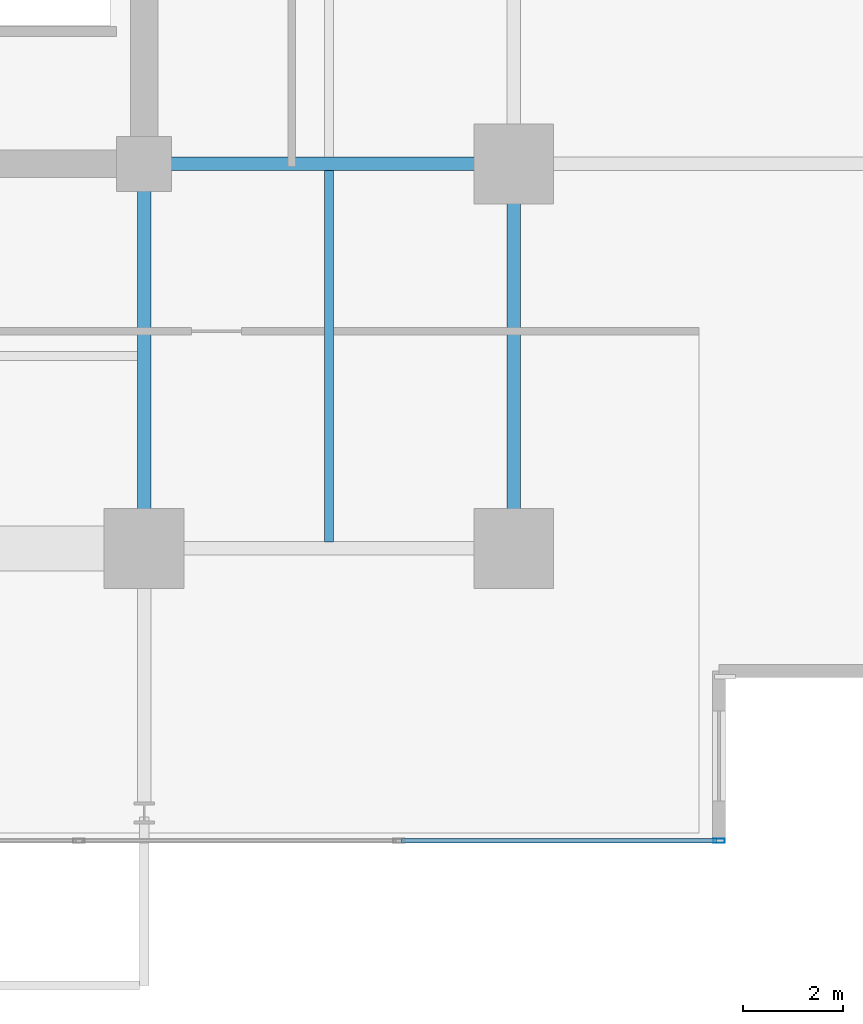
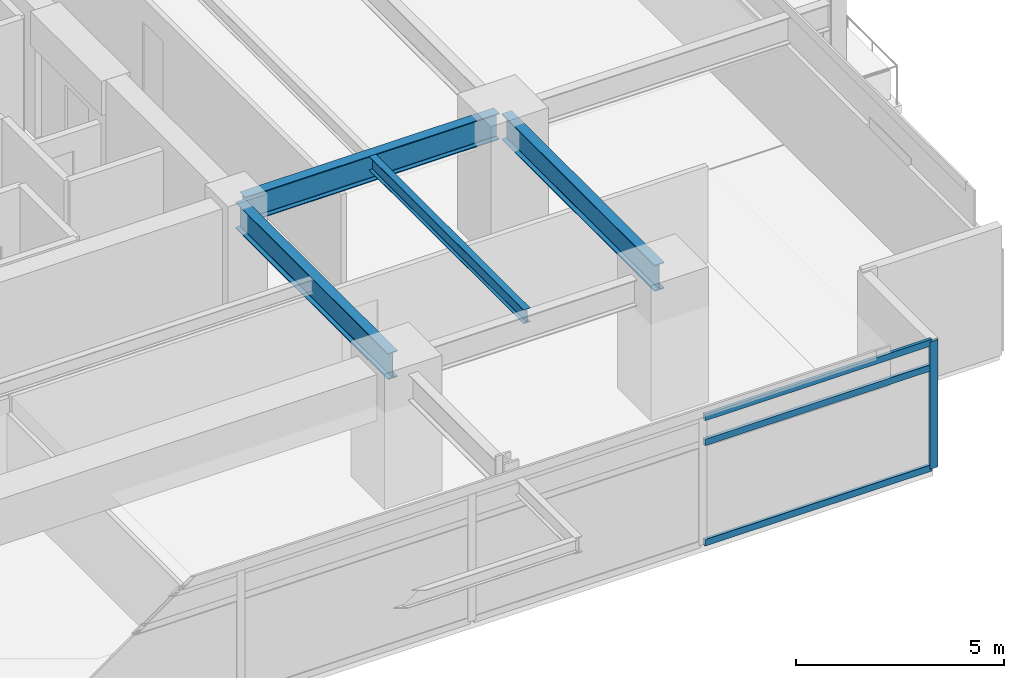
# One storey, part 10 of 24: 4 beams, 4 members, 1 element without a shape of its own.
"""IFC4 building model written with IfcOpenShell, lengths in metres."""

import ifcopenshell
import ifcopenshell.guid

model = None  # the IFC model being written
_history = None  # IfcOwnerHistory: only IFC2X3 demands one
_inside = {}  # id of a spatial element -> (the spatial element, [elements in it])
_under = {}  # id of a project, library or spatial element -> (it, [spatial elements below it])
_declared = {}  # id of a project -> (the project, [libraries it declares])
_typed = {}  # id of a type object -> (the type object, [elements of that type])
_made_of = {}  # id of a material, layer set ... -> (it, [elements and type objects made of it])


def new_model(schema):
    """Start an empty IFC model of exactly this schema.

    Asked for "IFC4X3", IfcOpenShell would pick the latest addendum, in which some entities
    have other attributes; the version numbers below select the first issue.
    IFC2X3 requires an IfcOwnerHistory on every rooted entity: one is made here for all.
    """
    global model, _history
    if schema == "IFC4X3":
        model = ifcopenshell.file(schema_version=(4, 3, 0, 0))
    else:
        model = ifcopenshell.file(schema=schema)
    _inside.clear()
    _under.clear()
    _declared.clear()
    _typed.clear()
    _made_of.clear()
    _history = None
    if model.schema == "IFC2X3":
        org = make("IfcOrganization", Name="unknown")
        user = make(
            "IfcPersonAndOrganization",
            ThePerson=make("IfcPerson", FamilyName="unknown"),
            TheOrganization=org,
        )
        app = make(
            "IfcApplication",
            ApplicationDeveloper=org,
            Version="unknown",
            ApplicationFullName="unknown",
            ApplicationIdentifier="unknown",
        )
        _history = make(
            "IfcOwnerHistory",
            OwningUser=user,
            OwningApplication=app,
            ChangeAction="ADDED",
            CreationDate=0,
        )
    return model


def make(cls, **values):
    """One entity of the class cls with the attributes given. An attribute that is None is left unset."""
    return model.create_entity(
        cls, **{name: value for name, value in values.items() if value is not None}
    )


def rooted(cls, **values):
    """An entity with a GlobalId (a new one), such as an element, a storey or a relation."""
    return make(cls, GlobalId=ifcopenshell.guid.new(), OwnerHistory=_history, **values)


def si_unit(unit_type, name, prefix=None):
    """IfcSIUnit, for example si_unit("LENGTHUNIT", "METRE", prefix="MILLI")."""
    return make("IfcSIUnit", UnitType=unit_type, Prefix=prefix, Name=name)


def assignment(units):
    """IfcUnitAssignment: the units of a project."""
    return None if units is None else make("IfcUnitAssignment", Units=units)


def point(xyz):
    """IfcCartesianPoint."""
    return None if xyz is None else make("IfcCartesianPoint", Coordinates=xyz)


def direction(xyz):
    """IfcDirection."""
    return None if xyz is None else make("IfcDirection", DirectionRatios=xyz)


def frame(location, z_axis=None, x_axis=None):
    """IfcAxis2Placement3D, a coordinate frame: its origin and axes. An axis left out is left unset."""
    return make(
        "IfcAxis2Placement3D",
        Location=point(location),
        Axis=direction(z_axis),
        RefDirection=direction(x_axis),
    )


def frame_2d(location, x_axis=None):
    """IfcAxis2Placement2D, a coordinate frame in the plane: its origin and x axis."""
    return make(
        "IfcAxis2Placement2D", Location=point(location), RefDirection=direction(x_axis)
    )


def origin():
    """The frame at (0, 0, 0) with its axes left unset."""
    return frame((0.0, 0.0, 0.0))


def origin_2d():
    """The frame at (0, 0) in the plane with its x axis left unset."""
    return frame_2d((0.0, 0.0))


def place(relative_to, where):
    """IfcLocalPlacement: puts the frame where relative to a parent placement (None: the world)."""
    return make(
        "IfcLocalPlacement", PlacementRelTo=relative_to, RelativePlacement=where
    )


def context(
    kind, dimensions, precision=None, world=None, true_north=None, identifier=None
):
    """IfcGeometricRepresentationContext, for example the 3D "Model" context."""
    return make(
        "IfcGeometricRepresentationContext",
        ContextIdentifier=identifier,
        ContextType=kind,
        CoordinateSpaceDimension=dimensions,
        Precision=precision,
        WorldCoordinateSystem=world,
        TrueNorth=true_north,
    )


def subcontext(parent, identifier, kind, view, scale=None):
    """IfcGeometricRepresentationSubContext, for example "Body" below "Model"."""
    return make(
        "IfcGeometricRepresentationSubContext",
        ContextIdentifier=identifier,
        ContextType=kind,
        ParentContext=parent,
        TargetScale=scale,
        TargetView=view,
    )


def project(units=None, contexts=None):
    """IfcProject with its units and contexts."""
    return rooted(
        "IfcProject",
        Name="project",
        RepresentationContexts=contexts,
        UnitsInContext=assignment(units),
    )


def spatial(cls, under=None, at=None, **own):
    """A site, building, storey or space (cls), placed at a placement, below another one or the project."""
    s = rooted(cls, ObjectPlacement=at, **own)
    if under is not None:
        _under.setdefault(under.id(), (under, []))[1].append(s)
    return s


def profile(cls, at=None, kind="AREA", **sizes):
    """A parametric profile (cls). Its sizes go by their IFC names, for example OverallWidth=200.0."""
    return make(cls, ProfileType=kind, Position=at, **sizes)


def hollow_rectangle(**sizes):
    """IfcRectangleHollowProfileDef."""
    return profile("IfcRectangleHollowProfileDef", **sizes)


def i_section(**sizes):
    """IfcIShapeProfileDef."""
    return profile("IfcIShapeProfileDef", **sizes)


def extrude(swept, where, along, depth):
    """IfcExtrudedAreaSolid: the profile swept, set in the frame where, extruded along a direction by depth."""
    return make(
        "IfcExtrudedAreaSolid",
        SweptArea=swept,
        Position=where,
        ExtrudedDirection=direction(along),
        Depth=depth,
    )


def shape(context_of_items, identifier, shape_type, items):
    """IfcShapeRepresentation: the items that make up one representation, for example the "Body"."""
    return make(
        "IfcShapeRepresentation",
        ContextOfItems=context_of_items,
        RepresentationIdentifier=identifier,
        RepresentationType=shape_type,
        Items=items,
    )


def material(Name=None, Category=None):
    """IfcMaterial."""
    return make("IfcMaterial", Name=Name, Category=Category)


def material_profile(
    of_material, cross_section, Name=None, Category=None, Priority=None
):
    """IfcMaterialProfile: a cross section and its material."""
    return make(
        "IfcMaterialProfile",
        Name=Name,
        Material=of_material,
        Profile=cross_section,
        Priority=Priority,
        Category=Category,
    )


def profile_set(profiles, Name=None, composite=None):
    """IfcMaterialProfileSet."""
    return make(
        "IfcMaterialProfileSet",
        Name=Name,
        MaterialProfiles=profiles,
        CompositeProfile=composite,
    )


def made_of(thing, what):
    """Note that an element or type object is made of a material, layer set ...; save() writes the relation."""
    if what is not None:
        _made_of.setdefault(what.id(), (what, []))[1].append(thing)
    return thing


def type_object(cls, material=None, **own):
    """A type object (cls), such as IfcWallType, which elements share."""
    return made_of(rooted(cls, **own), material)


def element(
    cls,
    number,
    at=None,
    inside=None,
    cuts=None,
    type_object=None,
    material=None,
    context=None,
    identifier="Body",
    shape_type=None,
    held_by="IfcProductDefinitionShape",
    body=None,
    shapes=None,
    **own,
):
    """One element of the class cls, such as IfcWall. Its Tag is "e" and its number.

    at: its placement. inside: the storey or other place that contains it. cuts: it is an
    opening in that element (IfcRelVoidsElement). A single representation is given by context,
    identifier, shape_type and body (its items); several are given by shapes. held_by: the class
    of the entity that holds the representations. save() writes the other relations.
    """
    e = rooted(cls, Tag="e%d" % number, ObjectPlacement=at, **own)
    if body is not None:
        shapes = [shape(context, identifier, shape_type, body)]
    if shapes is not None:
        e.Representation = make(held_by, Representations=shapes)
    if inside is not None:
        _inside.setdefault(inside.id(), (inside, []))[1].append(e)
    if cuts is not None:
        rooted(
            "IfcRelVoidsElement", RelatingBuildingElement=cuts, RelatedOpeningElement=e
        )
    if type_object is not None:
        _typed.setdefault(type_object.id(), (type_object, []))[1].append(e)
    return made_of(e, material)


def aggregate(whole, parts):
    """IfcRelAggregates: a whole, such as a stair, and the parts it consists of."""
    return rooted("IfcRelAggregates", RelatingObject=whole, RelatedObjects=parts)


def save(model, path):
    """Write the relations noted so far, then the file.

    IfcRelAggregates (storeys below a building ...), IfcRelContainedInSpatialStructure (elements
    in a storey), IfcRelDefinesByType, IfcRelAssociatesMaterial and IfcRelDeclares: one each for
    every whole, place, type object, material and project.
    """
    for whole, parts in _under.values():
        aggregate(whole, parts)
    for where, things in _inside.values():
        rooted(
            "IfcRelContainedInSpatialStructure",
            RelatedElements=things,
            RelatingStructure=where,
        )
    for kind, things in _typed.values():
        rooted("IfcRelDefinesByType", RelatedObjects=things, RelatingType=kind)
    for what, things in _made_of.values():
        rooted("IfcRelAssociatesMaterial", RelatedObjects=things, RelatingMaterial=what)
    for by, libraries in _declared.values():
        rooted("IfcRelDeclares", RelatingContext=by, RelatedDefinitions=libraries)
    model.write(path)


model = new_model("IFC4")

# Units and contexts
model_context = context("Model", 3, precision=1e-05, world=origin(), true_north=direction((0.0, 1.0)))
body_context = subcontext(model_context, "Body", "Model", "MODEL_VIEW")
ifc_project = project(units=[si_unit("LENGTHUNIT", "METRE"), si_unit("AREAUNIT", "SQUARE_METRE"), si_unit("VOLUMEUNIT", "CUBIC_METRE"), si_unit("PLANEANGLEUNIT", "RADIAN"), si_unit("MASSUNIT", "GRAM", prefix="KILO")], contexts=[model_context])

# Site, building, storey
site_placement = place(None, origin())
site = spatial("IfcSite", under=ifc_project, at=site_placement, CompositionType="ELEMENT")
building_placement = place(site_placement, origin())
building = spatial("IfcBuilding", under=site, at=building_placement, Name="Kovane Verandah Tower", CompositionType="ELEMENT")
storey_placement = place(building_placement, frame((0.0, 0.0, 132.39990234375)))
storey = spatial("IfcBuildingStorey", under=building, at=storey_placement, Name="L30", CompositionType="ELEMENT", Elevation=132.39990234375)

# Beams
ifc_material_1 = material(Name="Steel S355", Category="steel")
ifc_material_profile_1 = material_profile(ifc_material_1, i_section(OverallWidth=0.26806640625, OverallDepth=0.769775390625, WebThickness=0.015625, FlangeThickness=0.025390625, FilletRadius=0.0166015625, at=origin_2d()), Name="UB762x267x197")
ifc_profile_set_1 = profile_set([ifc_material_profile_1], Name="Steel S355")
beam_type_1 = type_object("IfcBeamType", Name="BM-UB762x197", PredefinedType="BEAM", material=ifc_profile_set_1)
beam_1_placement = place(storey_placement, frame((58.39990234375, 10.97998046875, 3.39013671875), z_axis=(0.0, 1.0, 0.0), x_axis=(-1.0, 0.0, 0.0)))
element("IfcBeam", 1, at=beam_1_placement, inside=storey, type_object=beam_type_1, Name="L30 Primary Tower Girder G-RE1", PredefinedType="BEAM", context=body_context, shape_type="SweptSolid", body=[
    extrude(i_section(OverallWidth=0.26806640625, OverallDepth=0.769775390625, WebThickness=0.015625, FlangeThickness=0.025390625, FilletRadius=0.0166015625, at=origin_2d()), origin(), (0.0, 0.0, 1.0), 7.340087890625),
])
beam_2_placement = place(storey_placement, frame((51.179931640625, 18.5, 3.39013671875), z_axis=(1.0, 0.0, 0.0), x_axis=(0.0, 1.0, 0.0)))
element("IfcBeam", 2, at=beam_2_placement, inside=storey, type_object=beam_type_1, Name="L30 Primary Tower Girder G-E1", PredefinedType="BEAM", context=body_context, shape_type="SweptSolid", body=[
    extrude(i_section(OverallWidth=0.26806640625, OverallDepth=0.769775390625, WebThickness=0.015625, FlangeThickness=0.025390625, FilletRadius=0.0166015625, at=origin_2d()), origin(), (0.0, 0.0, 1.0), 7.0400390625),
])
beam_3_placement = place(storey_placement, frame((51.0, 18.320068359375, 3.39013671875), z_axis=(0.0, -1.0, 0.0), x_axis=(1.0, 0.0, 0.0)))
element("IfcBeam", 3, at=beam_3_placement, inside=storey, type_object=beam_type_1, Name="L30 Primary Tower Girder G-S2", PredefinedType="BEAM", context=body_context, shape_type="SweptSolid", body=[
    extrude(i_section(OverallWidth=0.26806640625, OverallDepth=0.769775390625, WebThickness=0.015625, FlangeThickness=0.025390625, FilletRadius=0.0166015625, at=origin_2d()), origin(), (0.0, 0.0, 1.0), 7.340087890625),
])

# Curtain wall, members
ifc_material_2 = material(Name="Champagne Anodised Aluminium Frame with Low-E Clear Laminated Glass", Category="aluminium")
curtain_wall_type = type_object("IfcCurtainWallType", Name="CW-SYS-03-MID", PredefinedType="NOTDEFINED", material=ifc_material_2)
curtain_wall_placement = place(storey_placement, origin())
curtain_wall = element("IfcCurtainWall", 4, at=curtain_wall_placement, inside=storey, type_object=curtain_wall_type, Name="L30 S Unitised Curtain Wall", PredefinedType="NOTDEFINED")
ifc_material_3 = material(Name="Champagne Anodised Aluminium 6063-T6", Category="aluminium")
ifc_material_profile_2 = material_profile(ifc_material_3, hollow_rectangle(XDim=0.0849609375, YDim=0.22998046875, WallThickness=0.00390625, at=origin_2d()), Name="AL85x230x4")
ifc_profile_set_2 = profile_set([ifc_material_profile_2], Name="Champagne Anodised Aluminium 6063-T6")
member_type_1 = type_object("IfcMemberType", Name="CW-MUL-85x230", PredefinedType="MULLION", material=ifc_profile_set_2)
member_1_placement = place(storey_placement, frame((62.51416015625, 4.9462890625, 0.02001953125), z_axis=(0.0, 0.0, 1.0), x_axis=(0.0, -1.0, 0.0)))
member_1 = element("IfcMember", 5, at=member_1_placement, type_object=member_type_1, Name="L30 S Unitised Curtain Wall Mullion 8", PredefinedType="MULLION", context=body_context, shape_type="SweptSolid", body=[
    extrude(hollow_rectangle(XDim=0.0849609375, YDim=0.22998046875, WallThickness=0.00390625, at=origin_2d()), origin(), (0.0, 0.0, 1.0), 3.735107421875),
])
ifc_material_profile_3 = material_profile(ifc_material_3, hollow_rectangle(XDim=0.0849609375, YDim=0.18994140625, WallThickness=0.00390625, at=origin_2d()), Name="AL85x190x4")
ifc_profile_set_3 = profile_set([ifc_material_profile_3], Name="Champagne Anodised Aluminium 6063-T6")
member_type_2 = type_object("IfcMemberType", Name="CW-TRN-85x190", PredefinedType="USERDEFINED", material=ifc_profile_set_3)
member_2_placement = place(storey_placement, frame((56.1533203125, 4.9462890625, 0.050048828125), z_axis=(1.0, 0.0, 0.0), x_axis=(0.0, 1.0, 0.0)))
member_2 = element("IfcMember", 6, at=member_2_placement, type_object=member_type_2, Name="L30 S Unitised Curtain Wall Transom TB Bay 7", ObjectType="TRANSOM", PredefinedType="USERDEFINED", context=body_context, shape_type="SweptSolid", body=[
    extrude(hollow_rectangle(XDim=0.0849609375, YDim=0.18994140625, WallThickness=0.00390625, at=origin_2d()), origin(), (0.0, 0.0, 1.0), 6.310791015625),
])
member_3_placement = place(storey_placement, frame((56.1533203125, 4.9462890625, 2.9951171875), z_axis=(1.0, 0.0, 0.0), x_axis=(0.0, 1.0, 0.0)))
member_3 = element("IfcMember", 7, at=member_3_placement, type_object=member_type_2, Name="L30 S Unitised Curtain Wall Transom TM Bay 7", ObjectType="TRANSOM", PredefinedType="USERDEFINED", context=body_context, shape_type="SweptSolid", body=[
    extrude(hollow_rectangle(XDim=0.0849609375, YDim=0.18994140625, WallThickness=0.00390625, at=origin_2d()), origin(), (0.0, 0.0, 1.0), 6.310791015625),
])
member_4_placement = place(storey_placement, frame((56.1533203125, 4.9462890625, 3.72509765625), z_axis=(1.0, 0.0, 0.0), x_axis=(0.0, 1.0, 0.0)))
member_4 = element("IfcMember", 8, at=member_4_placement, type_object=member_type_2, Name="L30 S Unitised Curtain Wall Transom TT Bay 7", ObjectType="TRANSOM", PredefinedType="USERDEFINED", context=body_context, shape_type="SweptSolid", body=[
    extrude(hollow_rectangle(XDim=0.0849609375, YDim=0.18994140625, WallThickness=0.00390625, at=origin_2d()), origin(), (0.0, 0.0, 1.0), 6.310791015625),
])
aggregate(curtain_wall, [member_1, member_2, member_3, member_4])

# Beam
ifc_material_profile_4 = material_profile(ifc_material_1, i_section(OverallWidth=0.179443359375, OverallDepth=0.412841796875, WebThickness=0.009521484375, FlangeThickness=0.01611328125, FilletRadius=0.01025390625, at=origin_2d()), Name="UB406x178x74")
ifc_profile_set_4 = profile_set([ifc_material_profile_4], Name="Steel S355")
beam_type_2 = type_object("IfcBeamType", Name="JST-UB406x74", PredefinedType="JOIST", material=ifc_profile_set_4)
beam_4_placement = place(storey_placement, frame((54.699951171875, 10.931884765625, 3.568603515625), z_axis=(0.0, 1.0, 0.0), x_axis=(-1.0, 0.0, 0.0)))
element("IfcBeam", 9, at=beam_4_placement, inside=storey, type_object=beam_type_2, Name="L30 Secondary Composite Joist J-SE1", PredefinedType="JOIST", context=body_context, shape_type="SweptSolid", body=[
    extrude(i_section(OverallWidth=0.179443359375, OverallDepth=0.412841796875, WebThickness=0.009521484375, FlangeThickness=0.01611328125, FilletRadius=0.01025390625, at=origin_2d()), origin(), (0.0, 0.0, 1.0), 7.43603515625),
])

save(model, "model.ifc")
